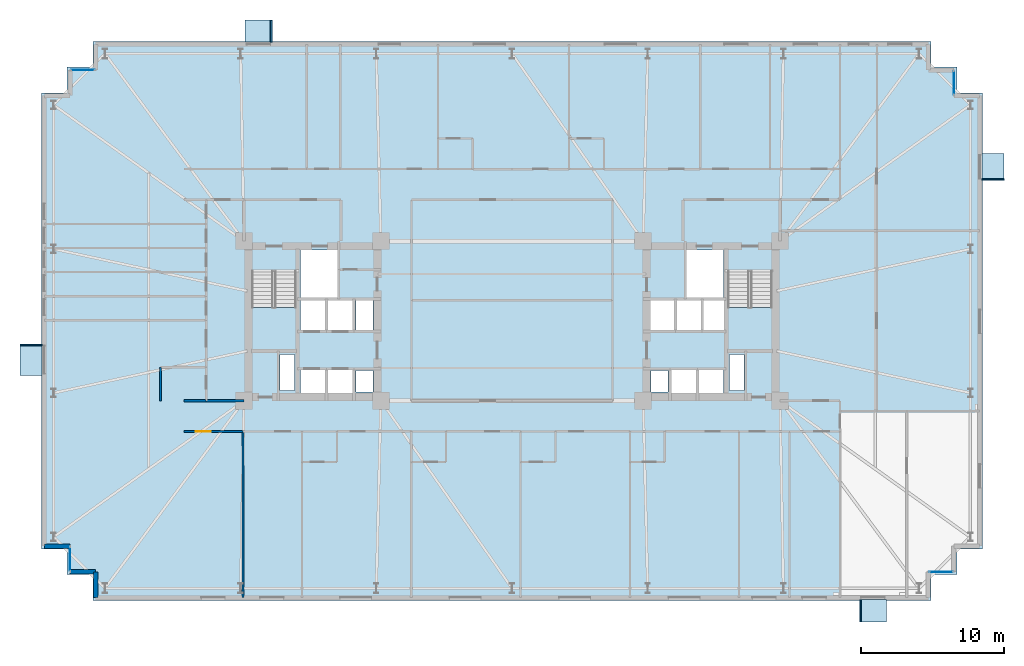
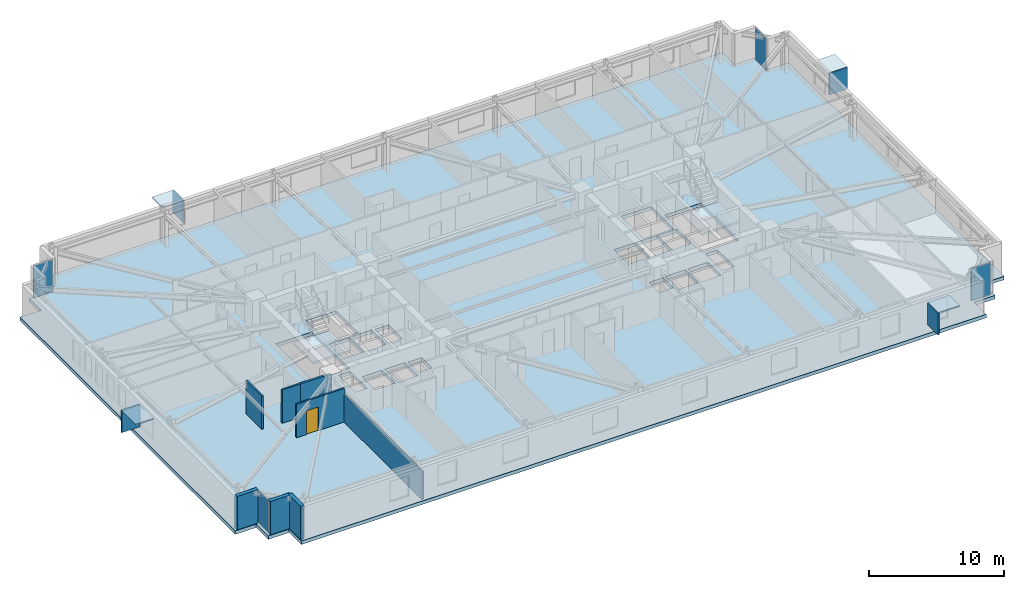
# One storey, part 13 of 21: 12 plates, 8 walls, 3 slabs, 1 door, 1 opening, 6 elements without a shape of their own.
"""IFC4 building model written with IfcOpenShell, lengths in metres."""

import ifcopenshell
import ifcopenshell.guid

model = None  # the IFC model being written
_history = None  # IfcOwnerHistory: only IFC2X3 demands one
_inside = {}  # id of a spatial element -> (the spatial element, [elements in it])
_under = {}  # id of a project, library or spatial element -> (it, [spatial elements below it])
_declared = {}  # id of a project -> (the project, [libraries it declares])
_typed = {}  # id of a type object -> (the type object, [elements of that type])
_made_of = {}  # id of a material, layer set ... -> (it, [elements and type objects made of it])


def new_model(schema):
    """Start an empty IFC model of exactly this schema.

    Asked for "IFC4X3", IfcOpenShell would pick the latest addendum, in which some entities
    have other attributes; the version numbers below select the first issue.
    IFC2X3 requires an IfcOwnerHistory on every rooted entity: one is made here for all.
    """
    global model, _history
    if schema == "IFC4X3":
        model = ifcopenshell.file(schema_version=(4, 3, 0, 0))
    else:
        model = ifcopenshell.file(schema=schema)
    _inside.clear()
    _under.clear()
    _declared.clear()
    _typed.clear()
    _made_of.clear()
    _history = None
    if model.schema == "IFC2X3":
        org = make("IfcOrganization", Name="unknown")
        user = make(
            "IfcPersonAndOrganization",
            ThePerson=make("IfcPerson", FamilyName="unknown"),
            TheOrganization=org,
        )
        app = make(
            "IfcApplication",
            ApplicationDeveloper=org,
            Version="unknown",
            ApplicationFullName="unknown",
            ApplicationIdentifier="unknown",
        )
        _history = make(
            "IfcOwnerHistory",
            OwningUser=user,
            OwningApplication=app,
            ChangeAction="ADDED",
            CreationDate=0,
        )
    return model


def make(cls, **values):
    """One entity of the class cls with the attributes given. An attribute that is None is left unset."""
    return model.create_entity(
        cls, **{name: value for name, value in values.items() if value is not None}
    )


def rooted(cls, **values):
    """An entity with a GlobalId (a new one), such as an element, a storey or a relation."""
    return make(cls, GlobalId=ifcopenshell.guid.new(), OwnerHistory=_history, **values)


def si_unit(unit_type, name, prefix=None):
    """IfcSIUnit, for example si_unit("LENGTHUNIT", "METRE", prefix="MILLI")."""
    return make("IfcSIUnit", UnitType=unit_type, Prefix=prefix, Name=name)


def assignment(units):
    """IfcUnitAssignment: the units of a project."""
    return None if units is None else make("IfcUnitAssignment", Units=units)


def point(xyz):
    """IfcCartesianPoint."""
    return None if xyz is None else make("IfcCartesianPoint", Coordinates=xyz)


def direction(xyz):
    """IfcDirection."""
    return None if xyz is None else make("IfcDirection", DirectionRatios=xyz)


def frame(location, z_axis=None, x_axis=None):
    """IfcAxis2Placement3D, a coordinate frame: its origin and axes. An axis left out is left unset."""
    return make(
        "IfcAxis2Placement3D",
        Location=point(location),
        Axis=direction(z_axis),
        RefDirection=direction(x_axis),
    )


def frame_2d(location, x_axis=None):
    """IfcAxis2Placement2D, a coordinate frame in the plane: its origin and x axis."""
    return make(
        "IfcAxis2Placement2D", Location=point(location), RefDirection=direction(x_axis)
    )


def origin():
    """The frame at (0, 0, 0) with its axes left unset."""
    return frame((0.0, 0.0, 0.0))


def origin_2d():
    """The frame at (0, 0) in the plane with its x axis left unset."""
    return frame_2d((0.0, 0.0))


def place(relative_to, where):
    """IfcLocalPlacement: puts the frame where relative to a parent placement (None: the world)."""
    return make(
        "IfcLocalPlacement", PlacementRelTo=relative_to, RelativePlacement=where
    )


def context(
    kind, dimensions, precision=None, world=None, true_north=None, identifier=None
):
    """IfcGeometricRepresentationContext, for example the 3D "Model" context."""
    return make(
        "IfcGeometricRepresentationContext",
        ContextIdentifier=identifier,
        ContextType=kind,
        CoordinateSpaceDimension=dimensions,
        Precision=precision,
        WorldCoordinateSystem=world,
        TrueNorth=true_north,
    )


def subcontext(parent, identifier, kind, view, scale=None):
    """IfcGeometricRepresentationSubContext, for example "Body" below "Model"."""
    return make(
        "IfcGeometricRepresentationSubContext",
        ContextIdentifier=identifier,
        ContextType=kind,
        ParentContext=parent,
        TargetScale=scale,
        TargetView=view,
    )


def project(units=None, contexts=None):
    """IfcProject with its units and contexts."""
    return rooted(
        "IfcProject",
        Name="project",
        RepresentationContexts=contexts,
        UnitsInContext=assignment(units),
    )


def spatial(cls, under=None, at=None, **own):
    """A site, building, storey or space (cls), placed at a placement, below another one or the project."""
    s = rooted(cls, ObjectPlacement=at, **own)
    if under is not None:
        _under.setdefault(under.id(), (under, []))[1].append(s)
    return s


def polyline(points):
    """IfcPolyline through the points."""
    return make("IfcPolyline", Points=[point(p) for p in points])


def profile(cls, at=None, kind="AREA", **sizes):
    """A parametric profile (cls). Its sizes go by their IFC names, for example OverallWidth=200.0."""
    return make(cls, ProfileType=kind, Position=at, **sizes)


def rectangle(**sizes):
    """IfcRectangleProfileDef."""
    return profile("IfcRectangleProfileDef", **sizes)


def outline(outer, holes=None, kind="AREA"):
    """IfcArbitraryClosedProfileDef: a profile drawn as a closed curve; with holes, ...WithVoids."""
    if holes is None:
        return make("IfcArbitraryClosedProfileDef", ProfileType=kind, OuterCurve=outer)
    return make(
        "IfcArbitraryProfileDefWithVoids",
        ProfileType=kind,
        OuterCurve=outer,
        InnerCurves=holes,
    )


def extrude(swept, where, along, depth):
    """IfcExtrudedAreaSolid: the profile swept, set in the frame where, extruded along a direction by depth."""
    return make(
        "IfcExtrudedAreaSolid",
        SweptArea=swept,
        Position=where,
        ExtrudedDirection=direction(along),
        Depth=depth,
    )


def shape(context_of_items, identifier, shape_type, items):
    """IfcShapeRepresentation: the items that make up one representation, for example the "Body"."""
    return make(
        "IfcShapeRepresentation",
        ContextOfItems=context_of_items,
        RepresentationIdentifier=identifier,
        RepresentationType=shape_type,
        Items=items,
    )


def material(Name=None, Category=None):
    """IfcMaterial."""
    return make("IfcMaterial", Name=Name, Category=Category)


def layer(
    of_material, thickness, ventilated=None, Name=None, Category=None, Priority=None
):
    """IfcMaterialLayer: one layer of a wall or slab, of a material (None: an air gap)."""
    return make(
        "IfcMaterialLayer",
        Material=of_material,
        LayerThickness=thickness,
        IsVentilated=ventilated,
        Name=Name,
        Category=Category,
        Priority=Priority,
    )


def layer_set(layers, Name=None):
    """IfcMaterialLayerSet."""
    return make("IfcMaterialLayerSet", MaterialLayers=layers, LayerSetName=Name)


def made_of(thing, what):
    """Note that an element or type object is made of a material, layer set ...; save() writes the relation."""
    if what is not None:
        _made_of.setdefault(what.id(), (what, []))[1].append(thing)
    return thing


def type_object(cls, material=None, **own):
    """A type object (cls), such as IfcWallType, which elements share."""
    return made_of(rooted(cls, **own), material)


def element(
    cls,
    number,
    at=None,
    inside=None,
    cuts=None,
    type_object=None,
    material=None,
    context=None,
    identifier="Body",
    shape_type=None,
    held_by="IfcProductDefinitionShape",
    body=None,
    shapes=None,
    **own,
):
    """One element of the class cls, such as IfcWall. Its Tag is "e" and its number.

    at: its placement. inside: the storey or other place that contains it. cuts: it is an
    opening in that element (IfcRelVoidsElement). A single representation is given by context,
    identifier, shape_type and body (its items); several are given by shapes. held_by: the class
    of the entity that holds the representations. save() writes the other relations.
    """
    e = rooted(cls, Tag="e%d" % number, ObjectPlacement=at, **own)
    if body is not None:
        shapes = [shape(context, identifier, shape_type, body)]
    if shapes is not None:
        e.Representation = make(held_by, Representations=shapes)
    if inside is not None:
        _inside.setdefault(inside.id(), (inside, []))[1].append(e)
    if cuts is not None:
        rooted(
            "IfcRelVoidsElement", RelatingBuildingElement=cuts, RelatedOpeningElement=e
        )
    if type_object is not None:
        _typed.setdefault(type_object.id(), (type_object, []))[1].append(e)
    return made_of(e, material)


def fill(opening, filler):
    """IfcRelFillsElement: the door or window that sits in an opening."""
    return rooted(
        "IfcRelFillsElement",
        RelatingOpeningElement=opening,
        RelatedBuildingElement=filler,
    )


def aggregate(whole, parts):
    """IfcRelAggregates: a whole, such as a stair, and the parts it consists of."""
    return rooted("IfcRelAggregates", RelatingObject=whole, RelatedObjects=parts)


def save(model, path):
    """Write the relations noted so far, then the file.

    IfcRelAggregates (storeys below a building ...), IfcRelContainedInSpatialStructure (elements
    in a storey), IfcRelDefinesByType, IfcRelAssociatesMaterial and IfcRelDeclares: one each for
    every whole, place, type object, material and project.
    """
    for whole, parts in _under.values():
        aggregate(whole, parts)
    for where, things in _inside.values():
        rooted(
            "IfcRelContainedInSpatialStructure",
            RelatedElements=things,
            RelatingStructure=where,
        )
    for kind, things in _typed.values():
        rooted("IfcRelDefinesByType", RelatedObjects=things, RelatingType=kind)
    for what, things in _made_of.values():
        rooted("IfcRelAssociatesMaterial", RelatedObjects=things, RelatingMaterial=what)
    for by, libraries in _declared.values():
        rooted("IfcRelDeclares", RelatingContext=by, RelatedDefinitions=libraries)
    model.write(path)


model = new_model("IFC4")

# Units and contexts
model_context = context("Model", 3, precision=1e-05, world=origin(), true_north=direction((0.0, 1.0)))
body_context = subcontext(model_context, "Body", "Model", "MODEL_VIEW")
ifc_project = project(units=[si_unit("LENGTHUNIT", "METRE"), si_unit("AREAUNIT", "SQUARE_METRE"), si_unit("VOLUMEUNIT", "CUBIC_METRE"), si_unit("PLANEANGLEUNIT", "RADIAN"), si_unit("MASSUNIT", "GRAM", prefix="KILO")], contexts=[model_context])

# Site, building, storey
site_placement = place(None, origin())
site = spatial("IfcSite", under=ifc_project, at=site_placement, CompositionType="ELEMENT")
building_placement = place(site_placement, origin())
building = spatial("IfcBuilding", under=site, at=building_placement, Name="Qobustan Lattice House", CompositionType="ELEMENT")
storey_placement = place(building_placement, frame((0.0, 0.0, 40.39990234375)))
storey = spatial("IfcBuildingStorey", under=building, at=storey_placement, Name="L10", CompositionType="ELEMENT", Elevation=40.39990234375)

# Curtain wall, plate
ifc_material_1 = material(Name="Anodised aluminium and low-E glazing", Category="aluminium")
ifc_layer_1 = layer(ifc_material_1, 0.219970703125)
ifc_layer_set_1 = layer_set([ifc_layer_1], Name="Anodised aluminium and low-E glazing")
curtain_wall_type = type_object("IfcCurtainWallType", Name="CW-FAC-01", PredefinedType="USERDEFINED", material=ifc_layer_set_1)
curtain_wall_1_placement = place(storey_placement, origin())
curtain_wall_1 = element("IfcCurtainWall", 1, at=curtain_wall_1_placement, inside=storey, type_object=curtain_wall_type, Name="L10 serrated corner faceted glazing 3", ObjectType="CURTAIN WALL", PredefinedType="USERDEFINED")
ifc_material_2 = material(Name="Clear low-E laminated glass", Category="glass")
ifc_layer_2 = layer(ifc_material_2, 0.031982421875)
ifc_layer_set_2 = layer_set([ifc_layer_2], Name="Clear low-E laminated glass")
plate_type_1 = type_object("IfcPlateType", Name="CWP-VISION-32", PredefinedType="CURTAIN_PANEL", material=ifc_layer_set_2)
plate_1_placement = place(storey_placement, frame((-31.0, -16.699951171875, 0.06494140625), z_axis=(0.0, 0.0, 1.0), x_axis=(0.0, 1.0, 0.0)))
plate_1 = element("IfcPlate", 2, at=plate_1_placement, type_object=plate_type_1, Name="CW-F1 panel 1.1", PredefinedType="CURTAIN_PANEL", context=body_context, shape_type="SweptSolid", body=[
    extrude(rectangle(XDim=1.659912109375, YDim=0.031982421875, at=origin_2d()), origin(), (0.0, 0.0, 1.0), 2.905029296875),
])
aggregate(curtain_wall_1, [plate_1])

curtain_wall_2_placement = place(storey_placement, origin())
curtain_wall_2 = element("IfcCurtainWall", 3, at=curtain_wall_2_placement, inside=storey, type_object=curtain_wall_type, Name="L10 serrated corner faceted glazing 8", ObjectType="CURTAIN WALL", PredefinedType="USERDEFINED")
plate_2_placement = place(storey_placement, frame((-30.10009765625, 17.60009765625, 0.06494140625), z_axis=(0.0, 0.0, 1.0), x_axis=(1.0, 0.0, 0.0)))
plate_2 = element("IfcPlate", 4, at=plate_2_placement, type_object=plate_type_1, Name="CW-F1 panel 1.1", PredefinedType="CURTAIN_PANEL", context=body_context, shape_type="SweptSolid", body=[
    extrude(rectangle(XDim=1.659912109375, YDim=0.031982421875, at=origin_2d()), origin(), (0.0, 0.0, 1.0), 2.905029296875),
])
aggregate(curtain_wall_2, [plate_2])

curtain_wall_3_placement = place(storey_placement, origin())
curtain_wall_3 = element("IfcCurtainWall", 5, at=curtain_wall_3_placement, inside=storey, type_object=curtain_wall_type, Name="L10 serrated corner faceted glazing 13", ObjectType="CURTAIN WALL", PredefinedType="USERDEFINED")
plate_3_placement = place(storey_placement, frame((31.0, 16.699951171875, 0.06494140625), z_axis=(0.0, 0.0, 1.0), x_axis=(0.0, -1.0, 0.0)))
plate_3 = element("IfcPlate", 6, at=plate_3_placement, type_object=plate_type_1, Name="CW-F1 panel 1.1", PredefinedType="CURTAIN_PANEL", context=body_context, shape_type="SweptSolid", body=[
    extrude(rectangle(XDim=1.659912109375, YDim=0.031982421875, at=origin_2d()), origin(), (0.0, 0.0, 1.0), 2.905029296875),
])
aggregate(curtain_wall_3, [plate_3])

curtain_wall_4_placement = place(storey_placement, origin())
curtain_wall_4 = element("IfcCurtainWall", 7, at=curtain_wall_4_placement, inside=storey, type_object=curtain_wall_type, Name="L10 serrated corner faceted glazing 18", ObjectType="CURTAIN WALL", PredefinedType="USERDEFINED")
plate_4_placement = place(storey_placement, frame((30.10009765625, -17.60009765625, 0.06494140625), z_axis=(0.0, 0.0, 1.0), x_axis=(-1.0, 0.0, 0.0)))
plate_4 = element("IfcPlate", 8, at=plate_4_placement, type_object=plate_type_1, Name="CW-F1 panel 1.1", PredefinedType="CURTAIN_PANEL", context=body_context, shape_type="SweptSolid", body=[
    extrude(rectangle(XDim=1.659912109375, YDim=0.031982421875, at=origin_2d()), origin(), (0.0, 0.0, 1.0), 2.905029296875),
])
aggregate(curtain_wall_4, [plate_4])

# Plates
ifc_material_3 = material(Name="Qobustan limestone GFRC", Category="masonry")
ifc_layer_3 = layer(ifc_material_3, 0.1201171875)
ifc_layer_set_3 = layer_set([ifc_layer_3], Name="Qobustan limestone GFRC")
plate_type_2 = type_object("IfcPlateType", Name="SHD-HOOD-BROW", PredefinedType="USERDEFINED", material=ifc_layer_set_3)
plate_5_placement = place(storey_placement, frame((-33.72998046875, -2.719970703125, 2.699951171875), z_axis=(0.0, 0.0, 1.0), x_axis=(0.0, 1.0, 0.0)))
element("IfcPlate", 9, at=plate_5_placement, inside=storey, type_object=plate_type_2, Name="L10 splayed Qobustan stone hood brow", ObjectType="SUNSHADE", PredefinedType="USERDEFINED", context=body_context, shape_type="SweptSolid", body=[
    extrude(rectangle(XDim=2.18994140625, YDim=1.56005859375, at=origin_2d()), origin(), (0.0, 0.0, 1.0), 0.1201171875),
])
plate_6_placement = place(storey_placement, frame((-33.72998046875, -1.68505859375, 0.7900390625), z_axis=(0.0, 0.0, 1.0), x_axis=(0.0, 1.0, 0.0)))
element("IfcPlate", 10, at=plate_6_placement, inside=storey, type_object=plate_type_2, Name="L10 splayed Qobustan stone hood cheek", ObjectType="SUNSHADE", PredefinedType="USERDEFINED", context=body_context, shape_type="SweptSolid", body=[
    extrude(rectangle(XDim=0.1201171875, YDim=1.56005859375, at=origin_2d()), origin(), (0.0, 0.0, 1.0), 1.969970703125),
])
plate_7_placement = place(storey_placement, frame((-17.778564453125, 20.330078125, 2.699951171875), z_axis=(0.0, 0.0, 1.0), x_axis=(1.0, 0.0, 0.0)))
element("IfcPlate", 11, at=plate_7_placement, inside=storey, type_object=plate_type_2, Name="L10 splayed Qobustan stone hood brow", ObjectType="SUNSHADE", PredefinedType="USERDEFINED", context=body_context, shape_type="SweptSolid", body=[
    extrude(rectangle(XDim=1.889892578125, YDim=1.56005859375, at=origin_2d()), origin(), (0.0, 0.0, 1.0), 0.1201171875),
])
plate_8_placement = place(storey_placement, frame((-16.8935546875, 20.330078125, 0.7900390625), z_axis=(0.0, 0.0, 1.0), x_axis=(1.0, 0.0, 0.0)))
element("IfcPlate", 12, at=plate_8_placement, inside=storey, type_object=plate_type_2, Name="L10 splayed Qobustan stone hood cheek", ObjectType="SUNSHADE", PredefinedType="USERDEFINED", context=body_context, shape_type="SweptSolid", body=[
    extrude(rectangle(XDim=0.1201171875, YDim=1.56005859375, at=origin_2d()), origin(), (0.0, 0.0, 1.0), 1.969970703125),
])
plate_9_placement = place(storey_placement, frame((33.72998046875, 10.800048828125, 2.699951171875), z_axis=(0.0, 0.0, 1.0), x_axis=(0.0, -1.0, 0.0)))
element("IfcPlate", 13, at=plate_9_placement, inside=storey, type_object=plate_type_2, Name="L10 splayed Qobustan stone hood brow", ObjectType="SUNSHADE", PredefinedType="USERDEFINED", context=body_context, shape_type="SweptSolid", body=[
    extrude(rectangle(XDim=1.889892578125, YDim=1.56005859375, at=origin_2d()), origin(), (0.0, 0.0, 1.0), 0.1201171875),
])
plate_10_placement = place(storey_placement, frame((33.72998046875, 9.9150390625, 0.7900390625), z_axis=(0.0, 0.0, 1.0), x_axis=(0.0, -1.0, 0.0)))
element("IfcPlate", 14, at=plate_10_placement, inside=storey, type_object=plate_type_2, Name="L10 splayed Qobustan stone hood cheek", ObjectType="SUNSHADE", PredefinedType="USERDEFINED", context=body_context, shape_type="SweptSolid", body=[
    extrude(rectangle(XDim=0.1201171875, YDim=1.56005859375, at=origin_2d()), origin(), (0.0, 0.0, 1.0), 1.969970703125),
])
plate_11_placement = place(storey_placement, frame((25.320068359375, -20.330078125, 2.699951171875), z_axis=(0.0, 0.0, 1.0), x_axis=(-1.0, 0.0, 0.0)))
element("IfcPlate", 15, at=plate_11_placement, inside=storey, type_object=plate_type_2, Name="L10 splayed Qobustan stone hood brow", ObjectType="SUNSHADE", PredefinedType="USERDEFINED", context=body_context, shape_type="SweptSolid", body=[
    extrude(rectangle(XDim=1.889892578125, YDim=1.56005859375, at=origin_2d()), origin(), (0.0, 0.0, 1.0), 0.1201171875),
])
plate_12_placement = place(storey_placement, frame((24.43505859375, -20.330078125, 0.7900390625), z_axis=(0.0, 0.0, 1.0), x_axis=(-1.0, 0.0, 0.0)))
element("IfcPlate", 16, at=plate_12_placement, inside=storey, type_object=plate_type_2, Name="L10 splayed Qobustan stone hood cheek", ObjectType="SUNSHADE", PredefinedType="USERDEFINED", context=body_context, shape_type="SweptSolid", body=[
    extrude(rectangle(XDim=0.1201171875, YDim=1.56005859375, at=origin_2d()), origin(), (0.0, 0.0, 1.0), 1.969970703125),
])

# Slab
ifc_material_4 = material(Name="Concrete C40/50", Category="concrete")
ifc_layer_4 = layer(ifc_material_4, 0.31494140625)
ifc_layer_set_4 = layer_set([ifc_layer_4], Name="Concrete C40/50")
slab_type_1 = type_object("IfcSlabType", Name="SLB-FLR-315", PredefinedType="FLOOR", material=ifc_layer_set_4)
slab_1_placement = place(storey_placement, frame((0.0, 0.0, -0.31494140625)))
element("IfcSlab", 17, at=slab_1_placement, inside=storey, type_object=slab_type_1, Name="L10 structural floor slab", PredefinedType="FLOOR", context=body_context, shape_type="SweptSolid", body=[
    extrude(outline(polyline([(-29.39990234375, -19.60009765625), (29.39990234375, -19.60009765625), (29.39990234375, -17.800048828125), (31.199951171875, -17.800048828125), (31.199951171875, -16.0), (33.0, -16.0), (33.0, 16.0), (31.199951171875, 16.0), (31.199951171875, 17.800048828125), (29.39990234375, 17.800048828125), (29.39990234375, 19.60009765625), (-29.39990234375, 19.60009765625), (-29.39990234375, 17.800048828125), (-31.199951171875, 17.800048828125), (-31.199951171875, 16.0), (-33.0, 16.0), (-33.0, -16.0), (-31.199951171875, -16.0), (-31.199951171875, -17.800048828125), (-29.39990234375, -17.800048828125), (-29.39990234375, -19.60009765625)]), holes=[polyline([(-18.25, -2.050048828125), (-18.25, 3.489990234375), (-15.1298828125, 3.489990234375), (-15.1298828125, -2.050048828125), (-18.25, -2.050048828125)]), polyline([(15.1298828125, -2.050048828125), (15.1298828125, 3.489990234375), (18.25, 3.489990234375), (18.25, -2.050048828125), (15.1298828125, -2.050048828125)]), polyline([(-14.820068359375, 1.64990234375), (-14.820068359375, 4.9599609375), (-12.25, 4.9599609375), (-12.25, 1.64990234375), (-14.820068359375, 1.64990234375)]), polyline([(12.25, 1.64990234375), (12.25, 4.9599609375), (14.820068359375, 4.9599609375), (14.820068359375, 1.64990234375), (12.25, 1.64990234375)]), polyline([(-16.260009765625, -4.8798828125), (-16.260009765625, -2.360107421875), (-15.260009765625, -2.360107421875), (-15.260009765625, -4.8798828125), (-16.260009765625, -4.8798828125)]), polyline([(15.260009765625, -4.8798828125), (15.260009765625, -2.360107421875), (16.260009765625, -2.360107421875), (16.260009765625, -4.8798828125), (15.260009765625, -4.8798828125)]), polyline([(-14.85009765625, -5.35009765625), (-14.85009765625, -3.419921875), (-13.1201171875, -3.419921875), (-13.1201171875, -5.35009765625), (-14.85009765625, -5.35009765625)]), polyline([(-12.919921875, -5.35009765625), (-12.919921875, -3.419921875), (-11.179931640625, -3.419921875), (-11.179931640625, -5.35009765625), (-12.919921875, -5.35009765625)]), polyline([(-14.85009765625, -0.679931640625), (-14.85009765625, 1.47998046875), (-13.1201171875, 1.47998046875), (-13.1201171875, -0.679931640625), (-14.85009765625, -0.679931640625)]), polyline([(-12.919921875, -0.679931640625), (-12.919921875, 1.47998046875), (-11.179931640625, 1.47998046875), (-11.179931640625, -0.679931640625), (-12.919921875, -0.679931640625)]), polyline([(-10.93994140625, -5.0), (-10.93994140625, -3.47998046875), (-9.760009765625, -3.47998046875), (-9.760009765625, -5.0), (-10.93994140625, -5.0)]), polyline([(-10.93994140625, -0.6201171875), (-10.93994140625, 1.419921875), (-9.760009765625, 1.419921875), (-9.760009765625, -0.6201171875), (-10.93994140625, -0.6201171875)]), polyline([(11.179931640625, -5.35009765625), (11.179931640625, -3.419921875), (12.919921875, -3.419921875), (12.919921875, -5.35009765625), (11.179931640625, -5.35009765625)]), polyline([(13.1201171875, -5.35009765625), (13.1201171875, -3.419921875), (14.85009765625, -3.419921875), (14.85009765625, -5.35009765625), (13.1201171875, -5.35009765625)]), polyline([(9.760009765625, -5.0), (9.760009765625, -3.47998046875), (10.93994140625, -3.47998046875), (10.93994140625, -5.0), (9.760009765625, -5.0)]), polyline([(13.360107421875, -0.679931640625), (13.360107421875, 1.47998046875), (14.97998046875, 1.47998046875), (14.97998046875, -0.679931640625), (13.360107421875, -0.679931640625)]), polyline([(9.6201171875, -0.679931640625), (9.6201171875, 1.47998046875), (11.43994140625, 1.47998046875), (11.43994140625, -0.679931640625), (9.6201171875, -0.679931640625)]), polyline([(11.5, -0.679931640625), (11.5, 1.47998046875), (13.320068359375, 1.47998046875), (13.320068359375, -0.679931640625), (11.5, -0.679931640625)])]), origin(), (0.0, 0.0, 1.0), 0.31494140625),
])

# Stair, slab
ifc_material_5 = material(Name="Concrete C40/50", Category="concrete")
stair_type = type_object("IfcStairType", Name="STR-CORE-DOGLEG", PredefinedType="HALF_TURN_STAIR", material=ifc_material_5)
stair_1_placement = place(storey_placement, origin())
stair_1 = element("IfcStair", 18, at=stair_1_placement, inside=storey, type_object=stair_type, Name="L10 West protected exit stair ST-W1", PredefinedType="HALF_TURN_STAIR")
ifc_material_6 = material(Name="Concrete C40/50", Category="concrete")
ifc_layer_5 = layer(ifc_material_6, 0.199951171875)
ifc_layer_set_5 = layer_set([ifc_layer_5], Name="Concrete C40/50")
slab_type_2 = type_object("IfcSlabType", Name="SLB-LANDING-200", PredefinedType="LANDING", material=ifc_layer_set_5)
slab_2_placement = place(storey_placement, frame((0.0, 0.0, 1.47509765625)))
slab_2 = element("IfcSlab", 19, at=slab_2_placement, type_object=slab_type_2, Name="ST-W1 landing 1", PredefinedType="LANDING", context=body_context, shape_type="SweptSolid", body=[
    extrude(outline(polyline([(-18.25, 0.93505859375), (-18.25, -2.050048828125), (-15.1298828125, -2.050048828125), (-15.1298828125, 0.93505859375), (-18.25, 0.93505859375)])), origin(), (0.0, 0.0, 1.0), 0.199951171875),
])
aggregate(stair_1, [slab_2])

stair_2_placement = place(storey_placement, origin())
stair_2 = element("IfcStair", 20, at=stair_2_placement, inside=storey, type_object=stair_type, Name="L10 East protected exit stair ST-E1", PredefinedType="HALF_TURN_STAIR")
slab_3_placement = place(storey_placement, frame((0.0, 0.0, 1.47509765625)))
slab_3 = element("IfcSlab", 21, at=slab_3_placement, type_object=slab_type_2, Name="ST-E1 landing 1", PredefinedType="LANDING", context=body_context, shape_type="SweptSolid", body=[
    extrude(outline(polyline([(15.1298828125, 0.93505859375), (15.1298828125, -2.050048828125), (18.25, -2.050048828125), (18.25, 0.93505859375), (15.1298828125, 0.93505859375)])), origin(), (0.0, 0.0, 1.0), 0.199951171875),
])
aggregate(stair_2, [slab_3])

# Walls
ifc_material_7 = material(Name="Precast concrete C40/50", Category="concrete")
ifc_layer_6 = layer(ifc_material_7, 0.320068359375)
ifc_layer_set_6 = layer_set([ifc_layer_6], Name="Precast concrete C40/50")
wall_type_1 = type_object("IfcWallType", Name="WAL-EXT-STONE-320", PredefinedType="SOLIDWALL", material=ifc_layer_set_6)
wall_1_placement = place(storey_placement, frame((-29.199951171875, -19.39990234375, 0.0), z_axis=(0.0, 0.0, 1.0), x_axis=(0.0, 1.0, 0.0)))
element("IfcWall", 22, at=wall_1_placement, inside=storey, type_object=wall_type_1, Name="L10 exterior limestone-clad wall 1", PredefinedType="SOLIDWALL", context=body_context, shape_type="SweptSolid", body=[
    extrude(rectangle(XDim=1.7998046875, YDim=0.320068359375, at=frame_2d((0.89990234375, 0.0))), origin(), (0.0, 0.0, 1.0), 3.03515625),
])
for number, where, z_axis, x_axis, name in (
    (23, (-29.199951171875, -17.60009765625, 0.0), (0.0, 0.0, 1.0), (-1.0, 0.0, 0.0), "L10 exterior limestone-clad wall 2"),
    (24, (-31.0, -15.800048828125, 0.0), (0.0, 0.0, 1.0), (-1.0, 0.0, 0.0), "L10 exterior limestone-clad wall 4"),
):
    element("IfcWall", number, at=place(storey_placement, frame(where, z_axis=z_axis, x_axis=x_axis)), inside=storey, type_object=wall_type_1, Name=name, PredefinedType="SOLIDWALL", context=body_context, shape_type="SweptSolid", body=[
        extrude(rectangle(XDim=1.800048828125, YDim=0.320068359375, at=frame_2d((0.89990234375, 0.0))), origin(), (0.0, 0.0, 1.0), 3.03515625),
    ])
ifc_material_8 = material(Name="Gypsum fireboard acoustic partition", Category="gypsum")
ifc_layer_7 = layer(ifc_material_8, 0.179931640625)
ifc_layer_set_7 = layer_set([ifc_layer_7], Name="Gypsum fireboard acoustic partition")
wall_type_2 = type_object("IfcWallType", Name="WAL-FIRE-180", PredefinedType="PARTITIONING", material=ifc_layer_set_7)
wall_2_placement = place(storey_placement, frame((-21.449951171875, -5.60009765625, 0.0), z_axis=(0.0, 0.0, 1.0), x_axis=(1.0, 0.0, 0.0)))
element("IfcWall", 25, at=wall_2_placement, inside=storey, type_object=wall_type_2, Name="L10 interior partition 54", PredefinedType="PARTITIONING", context=body_context, shape_type="SweptSolid", body=[
    extrude(rectangle(XDim=2.64990234375, YDim=0.179931640625, at=frame_2d((1.324951171875, 0.0))), origin(), (0.0, 0.0, 1.0), 3.03515625),
])

# Wall, opening, door
ifc_material_9 = material(Name="Acoustic twin-stud gypsum partition", Category="gypsum")
ifc_layer_8 = layer(ifc_material_9, 0.14990234375)
ifc_layer_set_8 = layer_set([ifc_layer_8], Name="Acoustic twin-stud gypsum partition")
wall_type_3 = type_object("IfcWallType", Name="WAL-PART-150", PredefinedType="PARTITIONING", material=ifc_layer_set_8)
wall_3_placement = place(storey_placement, frame((-18.866455078125, -7.75, 0.0), z_axis=(0.0, 0.0, 1.0), x_axis=(-1.0, 0.0, 0.0)))
wall_3 = element("IfcWall", 26, at=wall_3_placement, inside=storey, type_object=wall_type_3, Name="L10 interior partition 56", PredefinedType="PARTITIONING", context=body_context, shape_type="SweptSolid", body=[
    extrude(rectangle(XDim=4.133544921875, YDim=0.14990234375, at=frame_2d((2.06689453125, 0.0))), origin(), (0.0, 0.0, 1.0), 3.03515625),
])
opening_placement = place(wall_3_placement, frame((2.26318359375, 0.0, 0.0)))
opening = element("IfcOpeningElement", 27, at=opening_placement, cuts=wall_3, Name="Opening ID-02", PredefinedType="OPENING", context=body_context, shape_type="SweptSolid", body=[
    extrude(rectangle(XDim=1.050048828125, YDim=2.14990234375, at=frame_2d((0.52490234375, 1.074951171875))), frame((0.0, 0.0849609375, 0.0), z_axis=(0.0, -1.0, 0.0), x_axis=(1.0, 0.0, 0.0)), (0.0, 0.0, 1.0), 0.169921875),
])
ifc_material_10 = material(Name="Persian walnut timber and steel frame door", Category="steel")
door_type = type_object("IfcDoorType", Name="DOR-STUDY-1050x2150", OperationType="NOTDEFINED", PredefinedType="DOOR", material=ifc_material_10)
door_placement = place(opening_placement, origin())
door = element("IfcDoor", 28, at=door_placement, inside=storey, type_object=door_type, Name="L10 South-west floor corridor to Focus study room S1A door", OperationType="SINGLE_SWING_RIGHT", OverallHeight=2.14990234375, OverallWidth=1.050048828125, PredefinedType="DOOR", context=body_context, shape_type="SweptSolid", body=[
    extrude(rectangle(XDim=1.050048828125, YDim=2.14990234375, at=frame_2d((0.52490234375, 1.074951171875))), frame((0.0, 0.02490234375, 0.0), z_axis=(0.0, -1.0, 0.0), x_axis=(1.0, 0.0, 0.0)), (0.0, 0.0, 1.0), 0.050048828125),
])
fill(opening, door)

# Walls
wall_4_placement = place(storey_placement, frame((-18.866455078125, -7.75, 0.0), z_axis=(0.0, 0.0, 1.0), x_axis=(0.0, -1.0, 0.0)))
element("IfcWall", 29, at=wall_4_placement, inside=storey, type_object=wall_type_3, Name="L10 interior partition 114", PredefinedType="PARTITIONING", context=body_context, shape_type="SweptSolid", body=[
    extrude(rectangle(XDim=11.64990234375, YDim=0.14990234375, at=frame_2d((5.824951171875, 0.0))), origin(), (0.0, 0.0, 1.0), 2.52001953125),
])
ifc_material_11 = material(Name="Moisture-resistant acoustic plumbing wall", Category="gypsum")
ifc_layer_9 = layer(ifc_material_11, 0.14990234375)
ifc_layer_set_9 = layer_set([ifc_layer_9], Name="Moisture-resistant acoustic plumbing wall")
wall_type_4 = type_object("IfcWallType", Name="WAL-WET-150", PredefinedType="PLUMBINGWALL", material=ifc_layer_set_9)
wall_5_placement = place(storey_placement, frame((-23.0, -5.60009765625, 0.0), z_axis=(0.0, 0.0, 1.0), x_axis=(1.0, 0.0, 0.0)))
element("IfcWall", 30, at=wall_5_placement, inside=storey, type_object=wall_type_4, Name="L10 interior partition 55", PredefinedType="PLUMBINGWALL", context=body_context, shape_type="SweptSolid", body=[
    extrude(rectangle(XDim=1.550048828125, YDim=0.14990234375, at=frame_2d((0.77490234375, 0.0))), origin(), (0.0, 0.0, 1.0), 3.03515625),
])
wall_6_placement = place(storey_placement, frame((-24.64990234375, -5.60009765625, 0.0), z_axis=(0.0, 0.0, 1.0), x_axis=(0.0, 1.0, 0.0)))
element("IfcWall", 31, at=wall_6_placement, inside=storey, type_object=wall_type_4, Name="L10 interior partition 86", PredefinedType="PLUMBINGWALL", context=body_context, shape_type="SweptSolid", body=[
    extrude(rectangle(XDim=2.35009765625, YDim=0.14990234375, at=frame_2d((1.175048828125, 0.0))), origin(), (0.0, 0.0, 1.0), 3.03515625),
])

save(model, "model.ifc")
